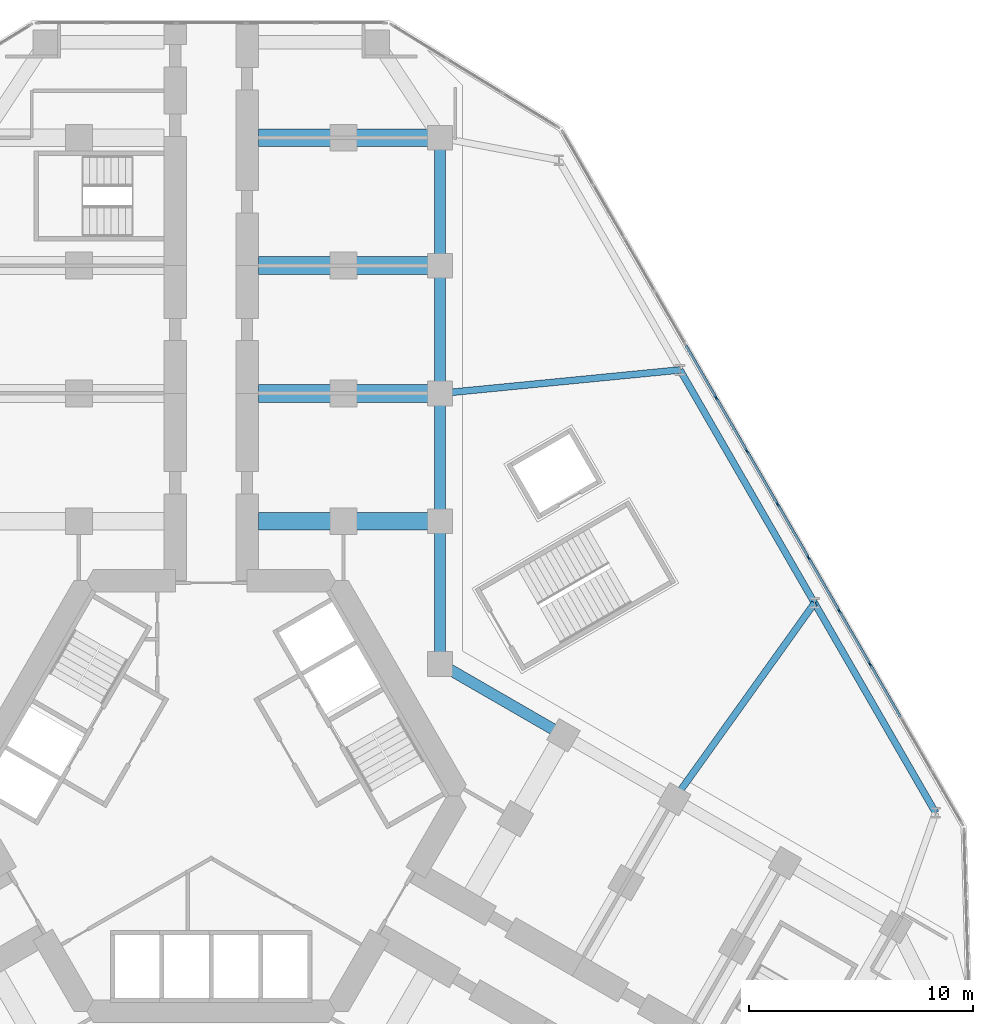
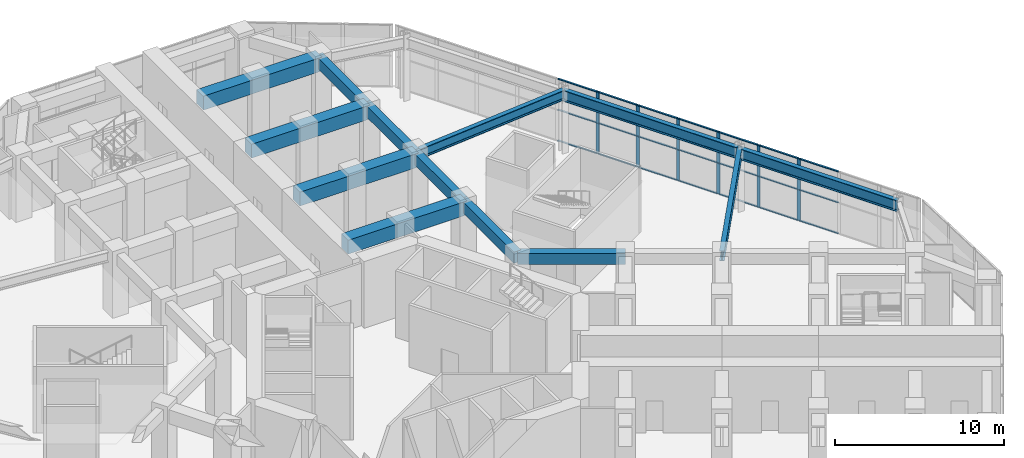
# One storey, part 9 of 22: 27 members, 13 beams, 1 element without a shape of its own.
"""IFC4 building model written with IfcOpenShell, lengths in metres."""

from ifc_helpers import new_model, si_unit, direction, frame, origin, origin_2d, place, context, subcontext, project, spatial, rectangle, i_section, extrude, material, material_profile, profile_set, type_object, element, aggregate, save


model = new_model("IFC4")

# Units and contexts
model_context = context("Model", 3, precision=1e-05, world=origin(), true_north=direction((0.0, 1.0)))
body_context = subcontext(model_context, "Body", "Model", "MODEL_VIEW")
ifc_project = project(units=[si_unit("LENGTHUNIT", "METRE"), si_unit("AREAUNIT", "SQUARE_METRE"), si_unit("VOLUMEUNIT", "CUBIC_METRE"), si_unit("PLANEANGLEUNIT", "RADIAN"), si_unit("MASSUNIT", "GRAM", prefix="KILO")], contexts=[model_context])

# Site, building, storey
site_placement = place(None, origin())
site = spatial("IfcSite", under=ifc_project, at=site_placement, CompositionType="ELEMENT")
building_placement = place(site_placement, origin())
building = spatial("IfcBuilding", under=site, at=building_placement, Name="Kosmar Iwan School Tower", CompositionType="ELEMENT")
storey_placement = place(building_placement, frame((0.0, 0.0, 15.60009765625)))
storey = spatial("IfcBuildingStorey", under=building, at=storey_placement, Name="L03", CompositionType="ELEMENT", Elevation=15.60009765625)

# Beams
ifc_material_1 = material(Name="Steel S355", Category="steel")
ifc_material_profile_1 = material_profile(ifc_material_1, i_section(OverallWidth=0.300048828125, OverallDepth=0.800048828125, WebThickness=0.017578125, FlangeThickness=0.032958984375, FilletRadius=0.030029296875, at=origin_2d()), Name="HE 800 B")
ifc_profile_set_1 = profile_set([ifc_material_profile_1], Name="Steel S355")
beam_type_1 = type_object("IfcBeamType", Name="Infill edge beam HE 800 B", PredefinedType="BEAM", material=ifc_profile_set_1)
beam_1_placement = place(storey_placement, frame((20.90234375, 18.99609375, 4.099853515625), z_axis=(0.49999894854, -0.866026010844, 0.0), x_axis=(0.866026010844, 0.49999894854, 0.0)))
element("IfcBeam", 1, at=beam_1_placement, inside=storey, type_object=beam_type_1, Name="Infill edge beam AC3", PredefinedType="BEAM", context=body_context, shape_type="SweptSolid", body=[
    extrude(i_section(OverallWidth=0.300048828125, OverallDepth=0.800048828125, WebThickness=0.017578125, FlangeThickness=0.032958984375, FilletRadius=0.030029296875, at=origin_2d()), origin(), (0.0, 0.0, 1.0), 12.0),
])
beam_2_placement = place(storey_placement, frame((26.90234375, 8.603759765625, 4.099853515625), z_axis=(0.499995103361, -0.866028230842, 0.0), x_axis=(0.866028230842, 0.499995103361, 0.0)))
element("IfcBeam", 2, at=beam_2_placement, inside=storey, type_object=beam_type_1, Name="Infill edge beam AC4", PredefinedType="BEAM", context=body_context, shape_type="SweptSolid", body=[
    extrude(i_section(OverallWidth=0.300048828125, OverallDepth=0.800048828125, WebThickness=0.017578125, FlangeThickness=0.032958984375, FilletRadius=0.030029296875, at=origin_2d()), origin(), (0.0, 0.0, 1.0), 10.7998046875),
])
ifc_material_2 = material(Name="Steel S355", Category="steel")
ifc_material_profile_2 = material_profile(ifc_material_2, i_section(OverallWidth=0.303955078125, OverallDepth=0.716064453125, WebThickness=0.02099609375, FlangeThickness=0.0400390625, FilletRadius=0.027099609375, at=origin_2d()), Name="HE 700 M")
ifc_profile_set_2 = profile_set([ifc_material_profile_2], Name="Steel S355")
beam_type_2 = type_object("IfcBeamType", Name="Play deck girder HE 700 M", PredefinedType="BEAM", material=ifc_profile_set_2)
beam_3_placement = place(storey_placement, frame((20.90234375, 18.99609375, 4.141845703125), z_axis=(-0.995256582335, -0.09728481546, 0.0), x_axis=(0.09728481546, -0.995256582335, 0.0)))
element("IfcBeam", 3, at=beam_3_placement, inside=storey, type_object=beam_type_2, Name="Infill girder AC2", PredefinedType="BEAM", context=body_context, shape_type="SweptSolid", body=[
    extrude(i_section(OverallWidth=0.303955078125, OverallDepth=0.716064453125, WebThickness=0.02099609375, FlangeThickness=0.0400390625, FilletRadius=0.027099609375, at=origin_2d()), origin(), (0.0, 0.0, 1.0), 10.75341796875),
])
beam_4_placement = place(storey_placement, frame((26.90234375, 8.603759765625, 4.141845703125), z_axis=(-0.58187801822, -0.813276073614, 0.0), x_axis=(0.813276073614, -0.58187801822, 0.0)))
element("IfcBeam", 4, at=beam_4_placement, inside=storey, type_object=beam_type_2, Name="Infill girder AC3", PredefinedType="BEAM", context=body_context, shape_type="SweptSolid", body=[
    extrude(i_section(OverallWidth=0.303955078125, OverallDepth=0.716064453125, WebThickness=0.02099609375, FlangeThickness=0.0400390625, FilletRadius=0.027099609375, at=origin_2d()), origin(), (0.0, 0.0, 1.0), 10.753173828125),
])

# Curtain wall, members
ifc_material_3 = material(Name="Dark glass in black aluminium frame", Category="aluminium")
curtain_wall_type = type_object("IfcCurtainWallType", Name="Podium curtain wall", PredefinedType="USERDEFINED", material=ifc_material_3)
curtain_wall_placement = place(storey_placement, origin())
curtain_wall = element("IfcCurtainWall", 5, at=curtain_wall_placement, inside=storey, type_object=curtain_wall_type, Name="Curtain wall L03-F04", ObjectType="STICK CURTAIN WALL", PredefinedType="USERDEFINED")
ifc_material_4 = material(Name="Black anodised aluminium", Category="aluminium")
ifc_material_profile_3 = material_profile(ifc_material_4, rectangle(XDim=0.06494140625, YDim=0.219970703125, at=origin_2d()), Name="MULLION 65x220")
ifc_profile_set_3 = profile_set([ifc_material_profile_3], Name="Black anodised aluminium")
member_type_1 = type_object("IfcMemberType", Name="Podium mullion 65x220", PredefinedType="MULLION", material=ifc_profile_set_3)
member_1_placement = place(storey_placement, frame((29.370849609375, 5.87841796875, 0.0), z_axis=(0.0, 0.0, 1.0), x_axis=(-0.866025390869, -0.50000002237, 0.0)))
member_1 = element("IfcMember", 6, at=member_1_placement, type_object=member_type_1, Name="CW3 mullion 4", PredefinedType="MULLION", context=body_context, shape_type="SweptSolid", body=[
    extrude(rectangle(XDim=0.06494140625, YDim=0.219970703125, at=origin_2d()), origin(), (0.0, 0.0, 1.0), 4.5),
])
member_2_placement = place(storey_placement, frame((28.0, 8.25244140625, 0.0), z_axis=(0.0, 0.0, 1.0), x_axis=(-0.866025390869, -0.50000002237, 0.0)))
member_2 = element("IfcMember", 7, at=member_2_placement, type_object=member_type_1, Name="CW3 mullion 5", PredefinedType="MULLION", context=body_context, shape_type="SweptSolid", body=[
    extrude(rectangle(XDim=0.06494140625, YDim=0.219970703125, at=origin_2d()), origin(), (0.0, 0.0, 1.0), 4.5),
])
member_3_placement = place(storey_placement, frame((26.62939453125, 10.62646484375, 0.0), z_axis=(0.0, 0.0, 1.0), x_axis=(-0.866025390869, -0.50000002237, 0.0)))
member_3 = element("IfcMember", 8, at=member_3_placement, type_object=member_type_1, Name="CW3 mullion 6", PredefinedType="MULLION", context=body_context, shape_type="SweptSolid", body=[
    extrude(rectangle(XDim=0.06494140625, YDim=0.219970703125, at=origin_2d()), origin(), (0.0, 0.0, 1.0), 4.5),
])
member_4_placement = place(storey_placement, frame((25.2587890625, 13.00048828125, 0.0), z_axis=(0.0, 0.0, 1.0), x_axis=(-0.866025390869, -0.50000002237, 0.0)))
member_4 = element("IfcMember", 9, at=member_4_placement, type_object=member_type_1, Name="CW3 mullion 7", PredefinedType="MULLION", context=body_context, shape_type="SweptSolid", body=[
    extrude(rectangle(XDim=0.06494140625, YDim=0.219970703125, at=origin_2d()), origin(), (0.0, 0.0, 1.0), 4.5),
])
member_5_placement = place(storey_placement, frame((23.88818359375, 15.37451171875, 0.0), z_axis=(0.0, 0.0, 1.0), x_axis=(-0.866025390869, -0.50000002237, 0.0)))
member_5 = element("IfcMember", 10, at=member_5_placement, type_object=member_type_1, Name="CW3 mullion 8", PredefinedType="MULLION", context=body_context, shape_type="SweptSolid", body=[
    extrude(rectangle(XDim=0.06494140625, YDim=0.219970703125, at=origin_2d()), origin(), (0.0, 0.0, 1.0), 4.5),
])
member_6_placement = place(storey_placement, frame((22.517578125, 17.74853515625, 0.0), z_axis=(0.0, 0.0, 1.0), x_axis=(-0.866025390869, -0.50000002237, 0.0)))
member_6 = element("IfcMember", 11, at=member_6_placement, type_object=member_type_1, Name="CW3 mullion 9", PredefinedType="MULLION", context=body_context, shape_type="SweptSolid", body=[
    extrude(rectangle(XDim=0.06494140625, YDim=0.219970703125, at=origin_2d()), origin(), (0.0, 0.0, 1.0), 4.5),
])

# Beams
ifc_material_5 = material(Name="Concrete C50/60", Category="concrete")
ifc_material_profile_4 = material_profile(ifc_material_5, rectangle(XDim=0.5, YDim=0.800048828125, at=origin_2d()), Name="RC 500x800")
ifc_profile_set_4 = profile_set([ifc_material_profile_4], Name="Concrete C50/60")
beam_type_3 = type_object("IfcBeamType", Name="RC edge beam 500x800", PredefinedType="BEAM", material=ifc_profile_set_4)
beam_5_placement = place(storey_placement, frame((10.199951171875, 5.888916015625, 4.099853515625), z_axis=(0.0, 1.0, 0.0), x_axis=(-1.0, 0.0, 0.0)))
element("IfcBeam", 12, at=beam_5_placement, inside=storey, type_object=beam_type_3, Name="Edge beam AR1", PredefinedType="BEAM", context=body_context, shape_type="SweptSolid", body=[
    extrude(rectangle(XDim=0.5, YDim=0.800048828125, at=origin_2d()), origin(), (0.0, 0.0, 1.0), 6.361083984375),
])
for number, where, z_axis, x_axis, name in (
    (13, (10.199951171875, 12.25, 4.099853515625), (0.0, 1.0, 0.0), (-1.0, 0.0, 0.0), "Edge beam AR2"),
    (14, (10.199951171875, 17.949951171875, 4.099853515625), (0.0, 1.0, 0.0), (-1.0, 0.0, 0.0), "Edge beam AR3"),
):
    element("IfcBeam", number, at=place(storey_placement, frame(where, z_axis=z_axis, x_axis=x_axis)), inside=storey, type_object=beam_type_3, Name=name, PredefinedType="BEAM", context=body_context, shape_type="SweptSolid", body=[
        extrude(rectangle(XDim=0.5, YDim=0.800048828125, at=origin_2d()), origin(), (0.0, 0.0, 1.0), 5.699951171875),
    ])
beam_6_placement = place(storey_placement, frame((10.199951171875, 23.64990234375, 4.099853515625), z_axis=(0.0, 1.0, 0.0), x_axis=(-1.0, 0.0, 0.0)))
element("IfcBeam", 15, at=beam_6_placement, inside=storey, type_object=beam_type_3, Name="Edge beam AR4", PredefinedType="BEAM", context=body_context, shape_type="SweptSolid", body=[
    extrude(rectangle(XDim=0.5, YDim=0.800048828125, at=origin_2d()), origin(), (0.0, 0.0, 1.0), 5.7001953125),
])
beam_7_placement = place(storey_placement, frame((10.199951171875, 5.888916015625, 4.099853515625), z_axis=(0.866030912664, -0.49999045822, 0.0), x_axis=(0.49999045822, 0.866030912664, 0.0)))
element("IfcBeam", 16, at=beam_7_placement, inside=storey, type_object=beam_type_3, Name="Edge beam CL1", PredefinedType="BEAM", context=body_context, shape_type="SweptSolid", body=[
    extrude(rectangle(XDim=0.5, YDim=0.800048828125, at=origin_2d()), origin(), (0.0, 0.0, 1.0), 6.36083984375),
])
ifc_material_6 = material(Name="Concrete C50/60", Category="concrete")
ifc_material_profile_5 = material_profile(ifc_material_6, rectangle(XDim=0.800048828125, YDim=1.0, at=origin_2d()), Name="RC 800x1000")
ifc_profile_set_5 = profile_set([ifc_material_profile_5], Name="Concrete C50/60")
beam_type_4 = type_object("IfcBeamType", Name="RC transverse beam 800x1000", PredefinedType="BEAM", material=ifc_profile_set_5)
for number, where, z_axis, x_axis, name in (
    (17, (10.199951171875, 12.25, 4.0), (-1.0, 0.0, 0.0), (0.0, -1.0, 0.0), "Transverse beam AR1"),
    (18, (10.199951171875, 17.949951171875, 4.0), (-1.0, 0.0, 0.0), (0.0, -1.0, 0.0), "Transverse beam AR2"),
    (19, (10.199951171875, 23.64990234375, 4.0), (-1.0, 0.0, 0.0), (0.0, -1.0, 0.0), "Transverse beam AR3"),
    (20, (10.199951171875, 29.35009765625, 4.0), (-1.0, 0.0, 0.0), (0.0, -1.0, 0.0), "Transverse beam AR4"),
):
    element("IfcBeam", number, at=place(storey_placement, frame(where, z_axis=z_axis, x_axis=x_axis)), inside=storey, type_object=beam_type_4, Name=name, PredefinedType="BEAM", context=body_context, shape_type="SweptSolid", body=[
        extrude(rectangle(XDim=0.800048828125, YDim=1.0, at=origin_2d()), origin(), (0.0, 0.0, 1.0), 8.099853515625),
    ])

# Member
ifc_material_7 = material(Name="Black anodised aluminium", Category="aluminium")
ifc_material_profile_6 = material_profile(ifc_material_7, rectangle(XDim=0.1201171875, YDim=0.06005859375, at=origin_2d()), Name="TRANSOM 60x120")
ifc_profile_set_6 = profile_set([ifc_material_profile_6], Name="Black anodised aluminium")
member_type_2 = type_object("IfcMemberType", Name="Transom 60x120", PredefinedType="USERDEFINED", material=ifc_profile_set_6)
member_7_placement = place(storey_placement, frame((30.72509765625, 3.532470703125, 0.02978515625), z_axis=(-0.499975134057, 0.866039759667, 0.0), x_axis=(-0.866039759667, -0.499975134057, 0.0)))
member_7 = element("IfcMember", 21, at=member_7_placement, type_object=member_type_2, Name="CW3 transom 3.1", ObjectType="TRANSOM", PredefinedType="USERDEFINED", context=body_context, shape_type="SweptSolid", body=[
    extrude(rectangle(XDim=0.1201171875, YDim=0.06005859375, at=origin_2d()), origin(), (0.0, 0.0, 1.0), 2.676513671875),
])

member_8_placement = place(storey_placement, frame((30.72509765625, 3.532470703125, 2.25), z_axis=(-0.499975134057, 0.866039759667, 0.0), x_axis=(-0.866039759667, -0.499975134057, 0.0)))
member_8 = element("IfcMember", 22, at=member_8_placement, type_object=member_type_2, Name="CW3 transom 3.2", ObjectType="TRANSOM", PredefinedType="USERDEFINED", context=body_context, shape_type="SweptSolid", body=[
    extrude(rectangle(XDim=0.1201171875, YDim=0.06005859375, at=origin_2d()), origin(), (0.0, 0.0, 1.0), 2.676513671875),
])

member_9_placement = place(storey_placement, frame((30.72509765625, 3.532470703125, 4.469970703125), z_axis=(-0.499975134057, 0.866039759667, 0.0), x_axis=(-0.866039759667, -0.499975134057, 0.0)))
member_9 = element("IfcMember", 23, at=member_9_placement, type_object=member_type_2, Name="CW3 transom 3.3", ObjectType="TRANSOM", PredefinedType="USERDEFINED", context=body_context, shape_type="SweptSolid", body=[
    extrude(rectangle(XDim=0.1201171875, YDim=0.06005859375, at=origin_2d()), origin(), (0.0, 0.0, 1.0), 2.676513671875),
])

member_10_placement = place(storey_placement, frame((29.3544921875, 5.906494140625, 0.02978515625), z_axis=(-0.499975134057, 0.866039759667, 0.0), x_axis=(-0.866039759667, -0.499975134057, 0.0)))
member_10 = element("IfcMember", 24, at=member_10_placement, type_object=member_type_2, Name="CW3 transom 4.1", ObjectType="TRANSOM", PredefinedType="USERDEFINED", context=body_context, shape_type="SweptSolid", body=[
    extrude(rectangle(XDim=0.1201171875, YDim=0.06005859375, at=origin_2d()), origin(), (0.0, 0.0, 1.0), 2.676513671875),
])

member_11_placement = place(storey_placement, frame((29.3544921875, 5.906494140625, 2.25), z_axis=(-0.499975134057, 0.866039759667, 0.0), x_axis=(-0.866039759667, -0.499975134057, 0.0)))
member_11 = element("IfcMember", 25, at=member_11_placement, type_object=member_type_2, Name="CW3 transom 4.2", ObjectType="TRANSOM", PredefinedType="USERDEFINED", context=body_context, shape_type="SweptSolid", body=[
    extrude(rectangle(XDim=0.1201171875, YDim=0.06005859375, at=origin_2d()), origin(), (0.0, 0.0, 1.0), 2.676513671875),
])

member_12_placement = place(storey_placement, frame((29.3544921875, 5.906494140625, 4.469970703125), z_axis=(-0.499975134057, 0.866039759667, 0.0), x_axis=(-0.866039759667, -0.499975134057, 0.0)))
member_12 = element("IfcMember", 26, at=member_12_placement, type_object=member_type_2, Name="CW3 transom 4.3", ObjectType="TRANSOM", PredefinedType="USERDEFINED", context=body_context, shape_type="SweptSolid", body=[
    extrude(rectangle(XDim=0.1201171875, YDim=0.06005859375, at=origin_2d()), origin(), (0.0, 0.0, 1.0), 2.676513671875),
])

member_13_placement = place(storey_placement, frame((27.98388671875, 8.280517578125, 0.02978515625), z_axis=(-0.499975134057, 0.866039759667, 0.0), x_axis=(-0.866039759667, -0.499975134057, 0.0)))
member_13 = element("IfcMember", 27, at=member_13_placement, type_object=member_type_2, Name="CW3 transom 5.1", ObjectType="TRANSOM", PredefinedType="USERDEFINED", context=body_context, shape_type="SweptSolid", body=[
    extrude(rectangle(XDim=0.1201171875, YDim=0.06005859375, at=origin_2d()), origin(), (0.0, 0.0, 1.0), 2.676513671875),
])

member_14_placement = place(storey_placement, frame((27.98388671875, 8.280517578125, 2.25), z_axis=(-0.499975134057, 0.866039759667, 0.0), x_axis=(-0.866039759667, -0.499975134057, 0.0)))
member_14 = element("IfcMember", 28, at=member_14_placement, type_object=member_type_2, Name="CW3 transom 5.2", ObjectType="TRANSOM", PredefinedType="USERDEFINED", context=body_context, shape_type="SweptSolid", body=[
    extrude(rectangle(XDim=0.1201171875, YDim=0.06005859375, at=origin_2d()), origin(), (0.0, 0.0, 1.0), 2.676513671875),
])

member_15_placement = place(storey_placement, frame((27.98388671875, 8.280517578125, 4.469970703125), z_axis=(-0.499975134057, 0.866039759667, 0.0), x_axis=(-0.866039759667, -0.499975134057, 0.0)))
member_15 = element("IfcMember", 29, at=member_15_placement, type_object=member_type_2, Name="CW3 transom 5.3", ObjectType="TRANSOM", PredefinedType="USERDEFINED", context=body_context, shape_type="SweptSolid", body=[
    extrude(rectangle(XDim=0.1201171875, YDim=0.06005859375, at=origin_2d()), origin(), (0.0, 0.0, 1.0), 2.676513671875),
])

member_16_placement = place(storey_placement, frame((26.61328125, 10.654541015625, 0.02978515625), z_axis=(-0.499975134057, 0.866039759667, 0.0), x_axis=(-0.866039759667, -0.499975134057, 0.0)))
member_16 = element("IfcMember", 30, at=member_16_placement, type_object=member_type_2, Name="CW3 transom 6.1", ObjectType="TRANSOM", PredefinedType="USERDEFINED", context=body_context, shape_type="SweptSolid", body=[
    extrude(rectangle(XDim=0.1201171875, YDim=0.06005859375, at=origin_2d()), origin(), (0.0, 0.0, 1.0), 2.676513671875),
])

member_17_placement = place(storey_placement, frame((26.61328125, 10.654541015625, 2.25), z_axis=(-0.499975134057, 0.866039759667, 0.0), x_axis=(-0.866039759667, -0.499975134057, 0.0)))
member_17 = element("IfcMember", 31, at=member_17_placement, type_object=member_type_2, Name="CW3 transom 6.2", ObjectType="TRANSOM", PredefinedType="USERDEFINED", context=body_context, shape_type="SweptSolid", body=[
    extrude(rectangle(XDim=0.1201171875, YDim=0.06005859375, at=origin_2d()), origin(), (0.0, 0.0, 1.0), 2.676513671875),
])

member_18_placement = place(storey_placement, frame((26.61328125, 10.654541015625, 4.469970703125), z_axis=(-0.499975134057, 0.866039759667, 0.0), x_axis=(-0.866039759667, -0.499975134057, 0.0)))
member_18 = element("IfcMember", 32, at=member_18_placement, type_object=member_type_2, Name="CW3 transom 6.3", ObjectType="TRANSOM", PredefinedType="USERDEFINED", context=body_context, shape_type="SweptSolid", body=[
    extrude(rectangle(XDim=0.1201171875, YDim=0.06005859375, at=origin_2d()), origin(), (0.0, 0.0, 1.0), 2.676513671875),
])

member_19_placement = place(storey_placement, frame((25.242431640625, 13.028564453125, 0.02978515625), z_axis=(-0.499975134057, 0.866039759667, 0.0), x_axis=(-0.866039759667, -0.499975134057, 0.0)))
member_19 = element("IfcMember", 33, at=member_19_placement, type_object=member_type_2, Name="CW3 transom 7.1", ObjectType="TRANSOM", PredefinedType="USERDEFINED", context=body_context, shape_type="SweptSolid", body=[
    extrude(rectangle(XDim=0.1201171875, YDim=0.06005859375, at=origin_2d()), origin(), (0.0, 0.0, 1.0), 2.676513671875),
])

member_20_placement = place(storey_placement, frame((25.242431640625, 13.028564453125, 2.25), z_axis=(-0.499975134057, 0.866039759667, 0.0), x_axis=(-0.866039759667, -0.499975134057, 0.0)))
member_20 = element("IfcMember", 34, at=member_20_placement, type_object=member_type_2, Name="CW3 transom 7.2", ObjectType="TRANSOM", PredefinedType="USERDEFINED", context=body_context, shape_type="SweptSolid", body=[
    extrude(rectangle(XDim=0.1201171875, YDim=0.06005859375, at=origin_2d()), origin(), (0.0, 0.0, 1.0), 2.676513671875),
])

member_21_placement = place(storey_placement, frame((25.242431640625, 13.028564453125, 4.469970703125), z_axis=(-0.499975134057, 0.866039759667, 0.0), x_axis=(-0.866039759667, -0.499975134057, 0.0)))
member_21 = element("IfcMember", 35, at=member_21_placement, type_object=member_type_2, Name="CW3 transom 7.3", ObjectType="TRANSOM", PredefinedType="USERDEFINED", context=body_context, shape_type="SweptSolid", body=[
    extrude(rectangle(XDim=0.1201171875, YDim=0.06005859375, at=origin_2d()), origin(), (0.0, 0.0, 1.0), 2.676513671875),
])

member_22_placement = place(storey_placement, frame((23.871826171875, 15.402587890625, 0.02978515625), z_axis=(-0.499975134057, 0.866039759667, 0.0), x_axis=(-0.866039759667, -0.499975134057, 0.0)))
member_22 = element("IfcMember", 36, at=member_22_placement, type_object=member_type_2, Name="CW3 transom 8.1", ObjectType="TRANSOM", PredefinedType="USERDEFINED", context=body_context, shape_type="SweptSolid", body=[
    extrude(rectangle(XDim=0.1201171875, YDim=0.06005859375, at=origin_2d()), origin(), (0.0, 0.0, 1.0), 2.676513671875),
])

member_23_placement = place(storey_placement, frame((23.871826171875, 15.402587890625, 2.25), z_axis=(-0.499975134057, 0.866039759667, 0.0), x_axis=(-0.866039759667, -0.499975134057, 0.0)))
member_23 = element("IfcMember", 37, at=member_23_placement, type_object=member_type_2, Name="CW3 transom 8.2", ObjectType="TRANSOM", PredefinedType="USERDEFINED", context=body_context, shape_type="SweptSolid", body=[
    extrude(rectangle(XDim=0.1201171875, YDim=0.06005859375, at=origin_2d()), origin(), (0.0, 0.0, 1.0), 2.676513671875),
])

member_24_placement = place(storey_placement, frame((23.871826171875, 15.402587890625, 4.469970703125), z_axis=(-0.499975134057, 0.866039759667, 0.0), x_axis=(-0.866039759667, -0.499975134057, 0.0)))
member_24 = element("IfcMember", 38, at=member_24_placement, type_object=member_type_2, Name="CW3 transom 8.3", ObjectType="TRANSOM", PredefinedType="USERDEFINED", context=body_context, shape_type="SweptSolid", body=[
    extrude(rectangle(XDim=0.1201171875, YDim=0.06005859375, at=origin_2d()), origin(), (0.0, 0.0, 1.0), 2.676513671875),
])

member_25_placement = place(storey_placement, frame((22.501220703125, 17.776611328125, 0.02978515625), z_axis=(-0.499975134057, 0.866039759667, 0.0), x_axis=(-0.866039759667, -0.499975134057, 0.0)))
member_25 = element("IfcMember", 39, at=member_25_placement, type_object=member_type_2, Name="CW3 transom 9.1", ObjectType="TRANSOM", PredefinedType="USERDEFINED", context=body_context, shape_type="SweptSolid", body=[
    extrude(rectangle(XDim=0.1201171875, YDim=0.06005859375, at=origin_2d()), origin(), (0.0, 0.0, 1.0), 2.676513671875),
])

member_26_placement = place(storey_placement, frame((22.501220703125, 17.776611328125, 2.25), z_axis=(-0.499975134057, 0.866039759667, 0.0), x_axis=(-0.866039759667, -0.499975134057, 0.0)))
member_26 = element("IfcMember", 40, at=member_26_placement, type_object=member_type_2, Name="CW3 transom 9.2", ObjectType="TRANSOM", PredefinedType="USERDEFINED", context=body_context, shape_type="SweptSolid", body=[
    extrude(rectangle(XDim=0.1201171875, YDim=0.06005859375, at=origin_2d()), origin(), (0.0, 0.0, 1.0), 2.676513671875),
])

member_27_placement = place(storey_placement, frame((22.501220703125, 17.776611328125, 4.469970703125), z_axis=(-0.499975134057, 0.866039759667, 0.0), x_axis=(-0.866039759667, -0.499975134057, 0.0)))
member_27 = element("IfcMember", 41, at=member_27_placement, type_object=member_type_2, Name="CW3 transom 9.3", ObjectType="TRANSOM", PredefinedType="USERDEFINED", context=body_context, shape_type="SweptSolid", body=[
    extrude(rectangle(XDim=0.1201171875, YDim=0.06005859375, at=origin_2d()), origin(), (0.0, 0.0, 1.0), 2.676513671875),
])

aggregate(curtain_wall, [member_1, member_2, member_3, member_4, member_5, member_6, member_7, member_8, member_9, member_10, member_11, member_12, member_13, member_14, member_15, member_16, member_17, member_18, member_19, member_20, member_21, member_22, member_23, member_24, member_25, member_26, member_27])

save(model, "model.ifc")
